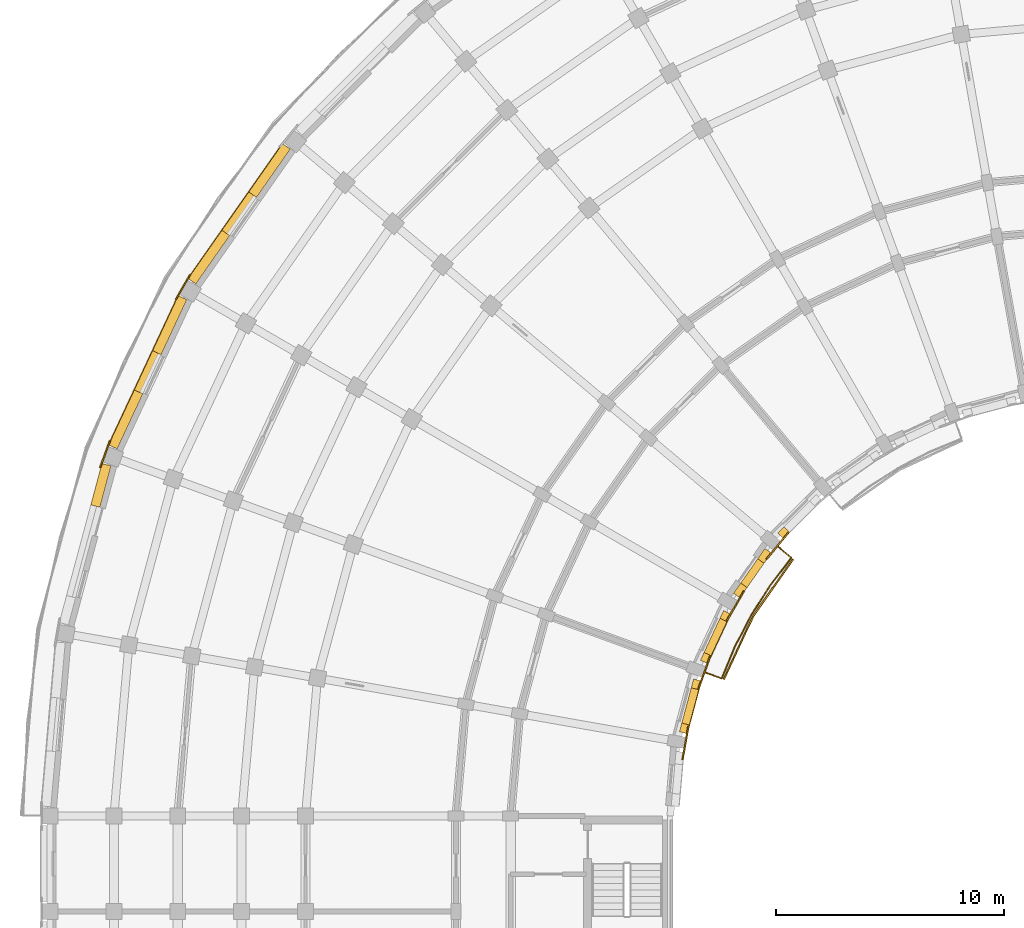
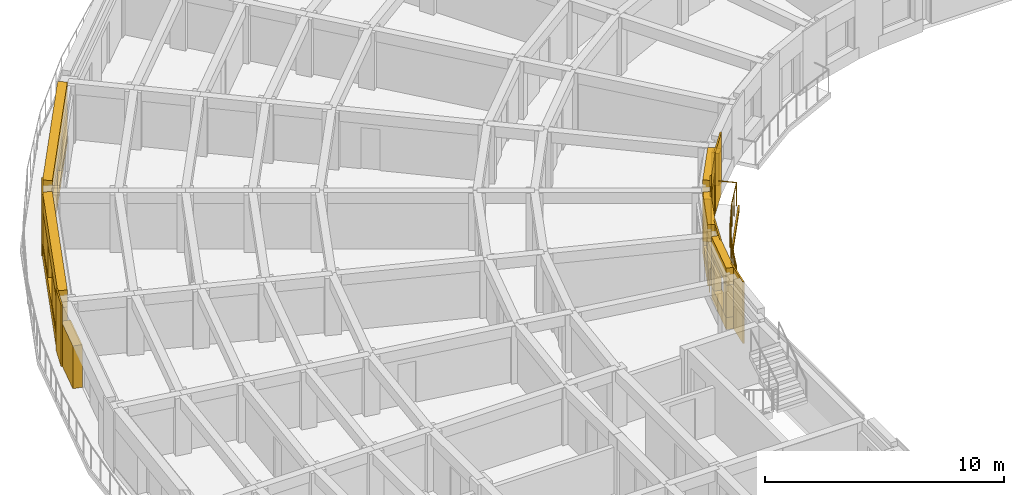
# One storey, part 47 of 57: 28 coverings, 1 railing.
"""IFC4 building model written with IfcOpenShell, lengths in metres."""

from ifc_helpers import new_model, si_unit, direction, frame, origin, origin_2d, place, context, subcontext, project, spatial, polyline, circle, outline, extrude, material, layer, layer_set, type_object, element, save


model = new_model("IFC4")

# Units and contexts
model_context = context("Model", 3, precision=1e-05, world=origin(), true_north=direction((0.0, 1.0)))
body_context = subcontext(model_context, "Body", "Model", "MODEL_VIEW")
ifc_project = project(units=[si_unit("LENGTHUNIT", "METRE"), si_unit("AREAUNIT", "SQUARE_METRE"), si_unit("VOLUMEUNIT", "CUBIC_METRE"), si_unit("PLANEANGLEUNIT", "RADIAN"), si_unit("MASSUNIT", "GRAM", prefix="KILO")], contexts=[model_context])

# Site, building, storey
site_placement = place(None, origin())
site = spatial("IfcSite", under=ifc_project, at=site_placement, CompositionType="ELEMENT")
building_placement = place(site_placement, origin())
building = spatial("IfcBuilding", under=site, at=building_placement, Name="Kiranvali Square Residences", CompositionType="ELEMENT")
storey_placement = place(building_placement, frame((0.0, 0.0, 21.300048828125)))
storey = spatial("IfcBuildingStorey", under=building, at=storey_placement, Name="L06", CompositionType="ELEMENT", Elevation=21.300048828125)

# Coverings
ifc_material_1 = material(Name="Carved Porbandar limestone classical entablature and cornice", Category="masonry")
ifc_layer_1 = layer(ifc_material_1, 0.06201171875)
ifc_layer_set_1 = layer_set([ifc_layer_1], Name="Carved Porbandar limestone classical entablature and cornice")
covering_type_1 = type_object("IfcCoveringType", Name="COV-CLAD-GBAL", PredefinedType="CLADDING", material=ifc_layer_set_1)
covering_1_placement = place(storey_placement, frame((0.0, 0.0, -0.219970703125)))
element("IfcCovering", 1, at=covering_1_placement, inside=storey, type_object=covering_type_1, Name="Block A L06 garden balcony limestone fascia 2", PredefinedType="CLADDING", context=body_context, shape_type="SweptSolid", body=[
    extrude(outline(polyline([(34.757568359375, 99.07958984375), (33.0029296875, 96.573974609375), (31.710205078125, 93.8017578125), (31.774169921875, 93.778564453125), (33.061767578125, 96.5400390625), (34.8095703125, 99.035888671875), (34.757568359375, 99.07958984375)])), origin(), (0.0, 0.0, 1.0), 0.27001953125),
])
ifc_material_2 = material(Name="Honed Porbandar limestone ashlar facade cladding", Category="masonry")
ifc_layer_2 = layer(ifc_material_2, 0.3798828125)
ifc_layer_set_2 = layer_set([ifc_layer_2], Name="Honed Porbandar limestone ashlar facade cladding")
covering_type_2 = type_object("IfcCoveringType", Name="COV-CLAD-JAMB", PredefinedType="CLADDING", material=ifc_layer_set_2)
covering_2_placement = place(storey_placement, frame((0.0, 0.0, 0.421875)))
element("IfcCovering", 2, at=covering_2_placement, inside=storey, type_object=covering_type_2, Name="L06 deep limestone window jamb reveal A-L06-CRV-05.L", PredefinedType="CLADDING", context=body_context, shape_type="SweptSolid", body=[
    extrude(outline(polyline([(12.396728515625, 117.275634765625), (10.91455078125, 115.158935546875), (11.25, 114.924072265625), (12.732177734375, 117.040771484375), (12.396728515625, 117.275634765625)])), origin(), (0.0, 0.0, 1.0), 1.85009765625),
])
covering_3_placement = place(storey_placement, frame((0.0, 0.0, 0.421875)))
element("IfcCovering", 3, at=covering_3_placement, inside=storey, type_object=covering_type_2, Name="L06 deep limestone window jamb reveal A-L06-CRV-05.R", PredefinedType="CLADDING", context=body_context, shape_type="SweptSolid", body=[
    extrude(outline(polyline([(9.738525390625, 113.479736328125), (8.25634765625, 111.36279296875), (8.591796875, 111.1279296875), (10.073974609375, 113.244873046875), (9.738525390625, 113.479736328125)])), origin(), (0.0, 0.0, 1.0), 1.85009765625),
])
covering_4_placement = place(storey_placement, frame((0.0, 0.0, 0.6220703125)))
element("IfcCovering", 4, at=covering_4_placement, inside=storey, type_object=covering_type_2, Name="L06 deep limestone window jamb reveal A-L06-CRV-06.L", PredefinedType="CLADDING", context=body_context, shape_type="SweptSolid", body=[
    extrude(outline(polyline([(7.822265625, 110.61083984375), (6.698486328125, 108.20068359375), (7.069580078125, 108.027587890625), (8.193359375, 110.437744140625), (7.822265625, 110.61083984375)])), origin(), (0.0, 0.0, 1.0), 1.64990234375),
])
covering_5_placement = place(storey_placement, frame((0.0, 0.0, 0.6220703125)))
element("IfcCovering", 5, at=covering_5_placement, inside=storey, type_object=covering_type_2, Name="L06 deep limestone window jamb reveal A-L06-CRV-06.R", PredefinedType="CLADDING", context=body_context, shape_type="SweptSolid", body=[
    extrude(outline(polyline([(5.8955078125, 106.478759765625), (4.771484375, 104.068603515625), (5.142822265625, 103.895751953125), (6.2666015625, 106.3056640625), (5.8955078125, 106.478759765625)])), origin(), (0.0, 0.0, 1.0), 1.64990234375),
])
covering_6_placement = place(storey_placement, origin())
element("IfcCovering", 6, at=covering_6_placement, inside=storey, type_object=covering_type_2, Name="L06 deep limestone window jamb reveal A-L06-CRV-07.L", PredefinedType="CLADDING", context=body_context, shape_type="SweptSolid", body=[
    extrude(outline(polyline([(4.474609375, 103.252685546875), (3.989013671875, 101.440185546875), (4.384521484375, 101.334228515625), (4.8701171875, 103.146728515625), (4.474609375, 103.252685546875)])), origin(), (0.0, 0.0, 1.0), 2.179931640625),
])
covering_7_placement = place(storey_placement, frame((0.0, 0.0, 0.6220703125)))
element("IfcCovering", 7, at=covering_7_placement, inside=storey, type_object=covering_type_2, Name="L06 deep limestone window jamb reveal A-L06-GDN-04.R", PredefinedType="CLADDING", context=body_context, shape_type="SweptSolid", body=[
    extrude(outline(polyline([(34.3916015625, 100.47705078125), (34.10986328125, 100.195068359375), (34.349853515625, 99.955078125), (34.631591796875, 100.23681640625), (34.3916015625, 100.47705078125)])), origin(), (0.0, 0.0, 1.0), 1.64990234375),
])
covering_8_placement = place(storey_placement, origin())
element("IfcCovering", 8, at=covering_8_placement, inside=storey, type_object=covering_type_2, Name="L06 deep limestone window jamb reveal A-L06-GDN-05.L", PredefinedType="CLADDING", context=body_context, shape_type="SweptSolid", body=[
    extrude(outline(polyline([(33.54638671875, 99.523681640625), (33.231689453125, 99.074462890625), (33.509765625, 98.879638671875), (33.824462890625, 99.328857421875), (33.54638671875, 99.523681640625)])), origin(), (0.0, 0.0, 1.0), 2.179931640625),
])
covering_9_placement = place(storey_placement, origin())
element("IfcCovering", 9, at=covering_9_placement, inside=storey, type_object=covering_type_2, Name="L06 deep limestone window jamb reveal A-L06-GDN-05.R", PredefinedType="CLADDING", context=body_context, shape_type="SweptSolid", body=[
    extrude(outline(polyline([(32.486083984375, 98.009521484375), (32.171630859375, 97.56005859375), (32.44970703125, 97.365478515625), (32.76416015625, 97.814697265625), (32.486083984375, 98.009521484375)])), origin(), (0.0, 0.0, 1.0), 2.179931640625),
])
covering_10_placement = place(storey_placement, frame((0.0, 0.0, 0.671875)))
element("IfcCovering", 10, at=covering_10_placement, inside=storey, type_object=covering_type_2, Name="L06 deep limestone window jamb reveal A-L06-GDN-06.L", PredefinedType="CLADDING", context=body_context, shape_type="SweptSolid", body=[
    extrude(outline(polyline([(31.733154296875, 96.801025390625), (31.575439453125, 96.46240234375), (31.883056640625, 96.319091796875), (32.041015625, 96.657470703125), (31.733154296875, 96.801025390625)])), origin(), (0.0, 0.0, 1.0), 1.60009765625),
])
covering_11_placement = place(storey_placement, frame((0.0, 0.0, 0.671875)))
element("IfcCovering", 11, at=covering_11_placement, inside=storey, type_object=covering_type_2, Name="L06 deep limestone window jamb reveal A-L06-GDN-06.R", PredefinedType="CLADDING", context=body_context, shape_type="SweptSolid", body=[
    extrude(outline(polyline([(30.8779296875, 94.967041015625), (30.72021484375, 94.62841796875), (31.02783203125, 94.485107421875), (31.185791015625, 94.823486328125), (30.8779296875, 94.967041015625)])), origin(), (0.0, 0.0, 1.0), 1.60009765625),
])
covering_12_placement = place(storey_placement, frame((0.0, 0.0, 0.6220703125)))
element("IfcCovering", 12, at=covering_12_placement, inside=storey, type_object=covering_type_2, Name="L06 deep limestone window jamb reveal A-L06-GDN-07.L", PredefinedType="CLADDING", context=body_context, shape_type="SweptSolid", body=[
    extrude(outline(polyline([(30.42041015625, 93.804931640625), (30.317138671875, 93.419921875), (30.645263671875, 93.33203125), (30.748291015625, 93.717041015625), (30.42041015625, 93.804931640625)])), origin(), (0.0, 0.0, 1.0), 1.64990234375),
])
covering_13_placement = place(storey_placement, frame((0.0, 0.0, 0.6220703125)))
element("IfcCovering", 13, at=covering_13_placement, inside=storey, type_object=covering_type_2, Name="L06 deep limestone window jamb reveal A-L06-GDN-07.R", PredefinedType="CLADDING", context=body_context, shape_type="SweptSolid", body=[
    extrude(outline(polyline([(29.903076171875, 91.87451171875), (29.800048828125, 91.489501953125), (30.1279296875, 91.401611328125), (30.23095703125, 91.78662109375), (29.903076171875, 91.87451171875)])), origin(), (0.0, 0.0, 1.0), 1.64990234375),
])
ifc_layer_3 = layer(ifc_material_2, 0.06494140625)
ifc_layer_set_3 = layer_set([ifc_layer_3], Name="Honed Porbandar limestone ashlar facade cladding")
covering_type_3 = type_object("IfcCoveringType", Name="COV-CLAD-PIER", PredefinedType="CLADDING", material=ifc_layer_set_3)
covering_14_placement = place(storey_placement, frame((0.0, 0.0, 0.0048828125)))
element("IfcCovering", 14, at=covering_14_placement, inside=storey, type_object=covering_type_3, Name="L06 Classical limestone corner pilaster CLAD-PR-A-L06-A06", PredefinedType="CLADDING", context=body_context, shape_type="SweptSolid", body=[
    extrude(outline(polyline([(8.31591796875, 111.5546875), (7.685791015625, 110.46337890625), (7.744384765625, 110.4296875), (8.374267578125, 111.520751953125), (8.31591796875, 111.5546875)])), origin(), (0.0, 0.0, 1.0), 3.14013671875),
])
covering_15_placement = place(storey_placement, frame((0.0, 0.0, 0.0048828125)))
element("IfcCovering", 15, at=covering_15_placement, inside=storey, type_object=covering_type_3, Name="L06 Classical limestone corner pilaster CLAD-PR-A-L06-A07", PredefinedType="CLADDING", context=body_context, shape_type="SweptSolid", body=[
    extrude(outline(polyline([(4.796875, 104.267822265625), (4.365966796875, 103.083984375), (4.42919921875, 103.060791015625), (4.8603515625, 104.244873046875), (4.796875, 104.267822265625)])), origin(), (0.0, 0.0, 1.0), 3.14013671875),
])
ifc_layer_4 = layer(ifc_material_2, 0.050048828125)
ifc_layer_set_4 = layer_set([ifc_layer_4], Name="Honed Porbandar limestone ashlar facade cladding")
covering_type_4 = type_object("IfcCoveringType", Name="COV-CLAD-PIER-IN", PredefinedType="CLADDING", material=ifc_layer_set_4)
covering_16_placement = place(storey_placement, frame((0.0, 0.0, 0.0048828125)))
element("IfcCovering", 16, at=covering_16_placement, inside=storey, type_object=covering_type_4, Name="L06 Classical garden courtyard pilaster CLAD-PRIN-A-L06-A05", PredefinedType="CLADDING", context=body_context, shape_type="SweptSolid", body=[
    extrude(outline(polyline([(33.636474609375, 99.041259765625), (34.6005859375, 100.190185546875), (34.548828125, 100.233642578125), (33.584716796875, 99.08447265625), (33.636474609375, 99.041259765625)])), origin(), (0.0, 0.0, 1.0), 3.14013671875),
])
covering_17_placement = place(storey_placement, frame((0.0, 0.0, 0.0048828125)))
element("IfcCovering", 17, at=covering_17_placement, inside=storey, type_object=covering_type_4, Name="L06 Classical garden courtyard pilaster CLAD-PRIN-A-L06-A06", PredefinedType="CLADDING", context=body_context, shape_type="SweptSolid", body=[
    extrude(outline(polyline([(31.90576171875, 96.341552734375), (32.65576171875, 97.640625), (32.59716796875, 97.67431640625), (31.84716796875, 96.375244140625), (31.90576171875, 96.341552734375)])), origin(), (0.0, 0.0, 1.0), 3.14013671875),
])
covering_18_placement = place(storey_placement, frame((0.0, 0.0, 0.0048828125)))
element("IfcCovering", 18, at=covering_18_placement, inside=storey, type_object=covering_type_4, Name="L06 Classical garden courtyard pilaster CLAD-PRIN-A-L06-A07", PredefinedType="CLADDING", context=body_context, shape_type="SweptSolid", body=[
    extrude(outline(polyline([(30.670166015625, 93.38232421875), (31.18310546875, 94.791748046875), (31.11962890625, 94.81494140625), (30.606689453125, 93.4052734375), (30.670166015625, 93.38232421875)])), origin(), (0.0, 0.0, 1.0), 3.14013671875),
])
covering_19_placement = place(storey_placement, frame((0.0, 0.0, 0.0048828125)))
element("IfcCovering", 19, at=covering_19_placement, inside=storey, type_object=covering_type_4, Name="L06 Classical garden courtyard pilaster CLAD-PRIN-A-L06-A08", PredefinedType="CLADDING", context=body_context, shape_type="SweptSolid", body=[
    extrude(outline(polyline([(29.967041015625, 90.25341796875), (30.2275390625, 91.730712890625), (30.1611328125, 91.742431640625), (29.900634765625, 90.26513671875), (29.967041015625, 90.25341796875)])), origin(), (0.0, 0.0, 1.0), 3.14013671875),
])
ifc_layer_5 = layer(ifc_material_2, 0.360107421875)
ifc_layer_set_5 = layer_set([ifc_layer_5], Name="Honed Porbandar limestone ashlar facade cladding")
covering_type_5 = type_object("IfcCoveringType", Name="COV-CLAD-WALL", PredefinedType="CLADDING", material=ifc_layer_set_5)
covering_20_placement = place(storey_placement, frame((0.0, 0.0, 2.27197265625)))
element("IfcCovering", 20, at=covering_20_placement, inside=storey, type_object=covering_type_5, Name="L06 light limestone spandrel lintel A-L06-CRV-05", PredefinedType="CLADDING", context=body_context, shape_type="SweptSolid", body=[
    extrude(outline(polyline([(12.396728515625, 117.275634765625), (8.25634765625, 111.36279296875), (8.591796875, 111.1279296875), (12.732177734375, 117.040771484375), (12.396728515625, 117.275634765625)])), origin(), (0.0, 0.0, 1.0), 0.873046875),
])
covering_21_placement = place(storey_placement, frame((0.0, 0.0, 0.0048828125)))
element("IfcCovering", 21, at=covering_21_placement, inside=storey, type_object=covering_type_5, Name="L06 limestone window sill apron A-L06-CRV-05", PredefinedType="CLADDING", context=body_context, shape_type="SweptSolid", body=[
    extrude(outline(polyline([(12.3720703125, 117.29296875), (8.23193359375, 111.380126953125), (8.591796875, 111.1279296875), (12.732177734375, 117.040771484375), (12.3720703125, 117.29296875)])), origin(), (0.0, 0.0, 1.0), 0.4169921875),
])
covering_22_placement = place(storey_placement, frame((0.0, 0.0, 2.27197265625)))
element("IfcCovering", 22, at=covering_22_placement, inside=storey, type_object=covering_type_5, Name="L06 light limestone spandrel lintel A-L06-CRV-06", PredefinedType="CLADDING", context=body_context, shape_type="SweptSolid", body=[
    extrude(outline(polyline([(7.822265625, 110.61083984375), (4.771484375, 104.068603515625), (5.142822265625, 103.895751953125), (8.193359375, 110.437744140625), (7.822265625, 110.61083984375)])), origin(), (0.0, 0.0, 1.0), 0.873046875),
])
covering_23_placement = place(storey_placement, frame((0.0, 0.0, 0.0048828125)))
element("IfcCovering", 23, at=covering_23_placement, inside=storey, type_object=covering_type_5, Name="L06 limestone window sill apron A-L06-CRV-06", PredefinedType="CLADDING", context=body_context, shape_type="SweptSolid", body=[
    extrude(outline(polyline([(7.794921875, 110.62353515625), (4.744384765625, 104.081298828125), (5.142822265625, 103.895751953125), (8.193359375, 110.437744140625), (7.794921875, 110.62353515625)])), origin(), (0.0, 0.0, 1.0), 0.6171875),
])
covering_24_placement = place(storey_placement, frame((0.0, 0.0, 2.179931640625)))
element("IfcCovering", 24, at=covering_24_placement, inside=storey, type_object=covering_type_5, Name="L06 light limestone spandrel lintel A-L06-GDN-05", PredefinedType="CLADDING", context=body_context, shape_type="SweptSolid", body=[
    extrude(outline(polyline([(33.54638671875, 99.523681640625), (32.171630859375, 97.56005859375), (32.44970703125, 97.365478515625), (33.824462890625, 99.328857421875), (33.54638671875, 99.523681640625)])), origin(), (0.0, 0.0, 1.0), 0.965087890625),
])
covering_25_placement = place(storey_placement, frame((0.0, 0.0, 2.27197265625)))
element("IfcCovering", 25, at=covering_25_placement, inside=storey, type_object=covering_type_5, Name="L06 light limestone spandrel lintel A-L06-GDN-06", PredefinedType="CLADDING", context=body_context, shape_type="SweptSolid", body=[
    extrude(outline(polyline([(31.733154296875, 96.801025390625), (30.72021484375, 94.62841796875), (31.02783203125, 94.485107421875), (32.041015625, 96.657470703125), (31.733154296875, 96.801025390625)])), origin(), (0.0, 0.0, 1.0), 0.873046875),
])
covering_26_placement = place(storey_placement, frame((0.0, 0.0, 2.27197265625)))
element("IfcCovering", 26, at=covering_26_placement, inside=storey, type_object=covering_type_5, Name="L06 light limestone spandrel lintel A-L06-GDN-07", PredefinedType="CLADDING", context=body_context, shape_type="SweptSolid", body=[
    extrude(outline(polyline([(30.42041015625, 93.804931640625), (29.800048828125, 91.489501953125), (30.1279296875, 91.401611328125), (30.748291015625, 93.717041015625), (30.42041015625, 93.804931640625)])), origin(), (0.0, 0.0, 1.0), 0.873046875),
])
ifc_layer_6 = layer(ifc_material_2, 0.2900390625)
ifc_layer_set_6 = layer_set([ifc_layer_6], Name="Honed Porbandar limestone ashlar facade cladding")
covering_type_6 = type_object("IfcCoveringType", Name="COV-CLAD-WALL-IN", PredefinedType="CLADDING", material=ifc_layer_set_6)
covering_27_placement = place(storey_placement, frame((0.0, 0.0, 0.0048828125)))
element("IfcCovering", 27, at=covering_27_placement, inside=storey, type_object=covering_type_6, Name="L06 limestone window sill apron A-L06-GDN-06", PredefinedType="CLADDING", context=body_context, shape_type="SweptSolid", body=[
    extrude(outline(polyline([(31.733154296875, 96.801025390625), (30.72021484375, 94.62841796875), (31.05517578125, 94.472412109375), (32.068115234375, 96.644775390625), (31.733154296875, 96.801025390625)])), origin(), (0.0, 0.0, 1.0), 0.6669921875),
])
covering_28_placement = place(storey_placement, frame((0.0, 0.0, 0.0048828125)))
element("IfcCovering", 28, at=covering_28_placement, inside=storey, type_object=covering_type_6, Name="L06 limestone window sill apron A-L06-GDN-07", PredefinedType="CLADDING", context=body_context, shape_type="SweptSolid", body=[
    extrude(outline(polyline([(30.42041015625, 93.804931640625), (29.800048828125, 91.489501953125), (30.156982421875, 91.393798828125), (30.77734375, 93.709228515625), (30.42041015625, 93.804931640625)])), origin(), (0.0, 0.0, 1.0), 0.6171875),
])

# Railing
ifc_material_3 = material(Name="Powder-coated architectural bronze balustrade", Category="steel")
railing_type = type_object("IfcRailingType", Name="RL-BAL-GOLD-1200", PredefinedType="BALUSTRADE", material=ifc_material_3)
railing_placement = place(storey_placement, frame((33.8291015625, 99.858642578125, 0.0)))
element("IfcRailing", 29, at=railing_placement, inside=storey, type_object=railing_type, Name="Block A L06 garden balcony gold balustrade 2", PredefinedType="BALUSTRADE", context=body_context, shape_type="SweptSolid", body=[
    extrude(circle(Radius=0.02392578125, at=origin_2d()), frame((0.0, 0.0, 1.17578125), z_axis=(0.765989188314, -0.642853454051, 0.0), x_axis=(0.642853454051, 0.765989188314, 0.0)), (0.0, 0.0, 1.0), 1.14990234375),
    extrude(circle(Radius=0.02392578125, at=origin_2d()), frame((0.880859375, -0.7392578125, 1.17578125), z_axis=(-0.608811807471, -0.793314680996, 0.0), x_axis=(0.793314680996, -0.608811807471, 0.0)), (0.0, 0.0, 1.0), 1.536376953125),
    extrude(circle(Radius=0.02392578125, at=origin_2d()), frame((-0.054443359375, -1.9580078125, 1.17578125), z_axis=(-0.537307309343, -0.843386539688, 0.0), x_axis=(0.843386539688, -0.537307309343, 0.0)), (0.0, 0.0, 1.0), 1.5361328125),
    extrude(circle(Radius=0.02392578125, at=origin_2d()), frame((-0.8798828125, -3.253662109375, 1.17578125), z_axis=(-0.461713009976, -0.887029366154, 0.0), x_axis=(0.887029366154, -0.461713009976, 0.0)), (0.0, 0.0, 1.0), 1.5361328125),
    extrude(circle(Radius=0.02392578125, at=origin_2d()), frame((-1.589111328125, -4.6162109375, 1.17578125), z_axis=(-0.382651197843, -0.923892883829, 0.0), x_axis=(0.923892883829, -0.382651197843, 0.0)), (0.0, 0.0, 1.0), 1.536376953125),
    extrude(circle(Radius=0.02392578125, at=origin_2d()), frame((-2.177001953125, -6.03564453125, 1.17578125), z_axis=(-0.939712828289, 0.341964618562, 0.0), x_axis=(-0.341964618562, -0.939712828289, 0.0)), (0.0, 0.0, 1.0), 1.150146484375),
    extrude(circle(Radius=0.02099609375, at=origin_2d()), origin(), (0.0, 0.0, 1.0), 1.15185546875),
    extrude(circle(Radius=0.02099609375, at=origin_2d()), frame((0.880859375, -0.7392578125, 0.0)), (0.0, 0.0, 1.0), 1.15185546875),
    extrude(circle(Radius=0.02099609375, at=origin_2d()), frame((0.4130859375, -1.3486328125, 0.0)), (0.0, 0.0, 1.0), 1.15185546875),
    extrude(circle(Radius=0.02099609375, at=origin_2d()), frame((-0.054443359375, -1.9580078125, 0.0)), (0.0, 0.0, 1.0), 1.15185546875),
    extrude(circle(Radius=0.02099609375, at=origin_2d()), frame((-0.46728515625, -2.60595703125, 0.0)), (0.0, 0.0, 1.0), 1.15185546875),
    extrude(circle(Radius=0.02099609375, at=origin_2d()), frame((-0.8798828125, -3.253662109375, 0.0)), (0.0, 0.0, 1.0), 1.15185546875),
    extrude(circle(Radius=0.02099609375, at=origin_2d()), frame((-1.234375, -3.93505859375, 0.0)), (0.0, 0.0, 1.0), 1.15185546875),
    extrude(circle(Radius=0.02099609375, at=origin_2d()), frame((-1.589111328125, -4.6162109375, 0.0)), (0.0, 0.0, 1.0), 1.15185546875),
    extrude(circle(Radius=0.02099609375, at=origin_2d()), frame((-1.883056640625, -5.325927734375, 0.0)), (0.0, 0.0, 1.0), 1.15185546875),
    extrude(circle(Radius=0.02099609375, at=origin_2d()), frame((-2.177001953125, -6.03564453125, 0.0)), (0.0, 0.0, 1.0), 1.15185546875),
    extrude(circle(Radius=0.02099609375, at=origin_2d()), frame((-3.2578125, -5.642333984375, 0.0)), (0.0, 0.0, 1.0), 1.15185546875),
])

save(model, "model.ifc")
